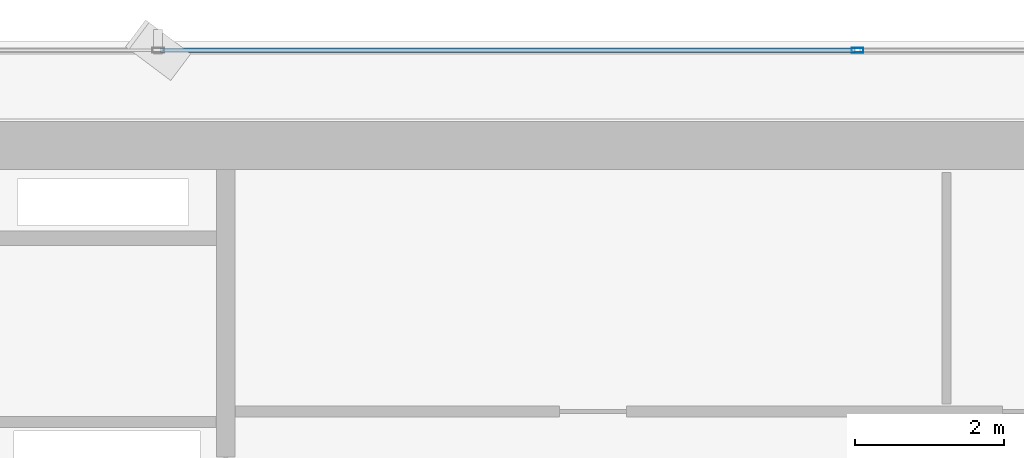
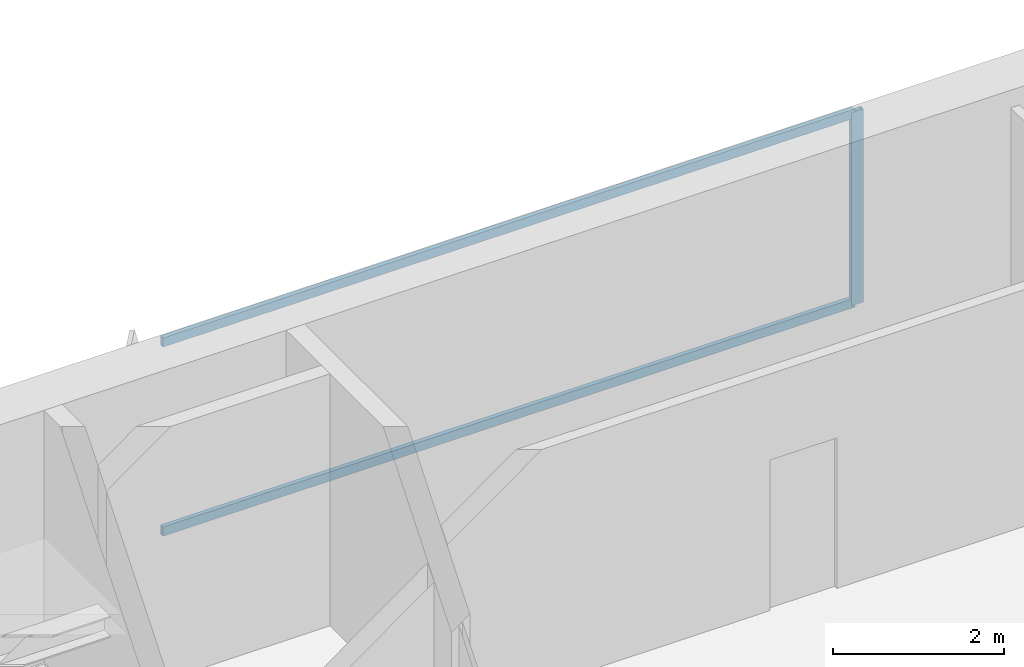
# One storey, part 16 of 28: 3 members, 1 element without a shape of its own.
"""IFC4 building model written with IfcOpenShell, lengths in metres."""

from ifc_helpers import new_model, si_unit, direction, frame, origin, origin_2d, place, context, subcontext, project, spatial, hollow_rectangle, extrude, source, transform, mapped, material, layer, layer_set, material_profile, profile_set, type_object, element, aggregate, save


model = new_model("IFC4")

# Units and contexts
model_context = context("Model", 3, precision=1e-05, world=origin(), true_north=direction((0.0, 1.0)))
body_context = subcontext(model_context, "Body", "Model", "MODEL_VIEW")
ifc_project = project(units=[si_unit("LENGTHUNIT", "METRE"), si_unit("AREAUNIT", "SQUARE_METRE"), si_unit("VOLUMEUNIT", "CUBIC_METRE"), si_unit("PLANEANGLEUNIT", "RADIAN"), si_unit("MASSUNIT", "GRAM", prefix="KILO")], contexts=[model_context])

# Site, building, storey
site_placement = place(None, origin())
site = spatial("IfcSite", under=ifc_project, at=site_placement, CompositionType="ELEMENT")
building_placement = place(site_placement, origin())
building = spatial("IfcBuilding", under=site, at=building_placement, Name="Sumidabori Civic Tower", CompositionType="ELEMENT")
storey_placement = place(building_placement, frame((0.0, 0.0, 174.800048828125)))
storey = spatial("IfcBuildingStorey", under=building, at=storey_placement, Name="L45", CompositionType="ELEMENT", Elevation=174.800048828125)

# Curtain wall, members
ifc_material = material(Name="Anodised Bronze Aluminium AW-6063-T6", Category="aluminium")
ifc_layer = layer(ifc_material, 0.179931640625, Name="Anodised Bronze Aluminium AW-6063-T6")
ifc_layer_set = layer_set([ifc_layer], Name="Anodised Bronze Aluminium AW-6063-T6")
curtain_wall_type = type_object("IfcCurtainWallType", Name="CW-SYS-3", PredefinedType="NOTDEFINED", material=ifc_layer_set)
curtain_wall_placement = place(storey_placement, origin())
curtain_wall = element("IfcCurtainWall", 1, at=curtain_wall_placement, inside=storey, type_object=curtain_wall_type, Name="Curtain Wall CW:L45:R07", PredefinedType="NOTDEFINED")
ifc_material_profile_1 = material_profile(ifc_material, hollow_rectangle(XDim=0.06494140625, YDim=0.159912109375, WallThickness=0.0048828125, at=origin_2d()), Name="ALU MULLION 160x65")
ifc_profile_set_1 = profile_set([ifc_material_profile_1], Name="Anodised Bronze Aluminium AW-6063-T6")
member_type_1 = type_object("IfcMemberType", Name="CW-MUL-160", PredefinedType="MULLION", material=ifc_profile_set_1)
shared_shape_1 = source(origin(), body_context, "Body", "SweptSolid", [
    extrude(hollow_rectangle(XDim=0.06494140625, YDim=0.159912109375, WallThickness=0.0048828125, at=origin_2d()), origin(), (0.0, 0.0, 1.0), 2.760009765625),
])
member_1_placement = place(storey_placement, frame((0.0, 25.080078125, 0.0), z_axis=(0.0, 0.0, 1.0), x_axis=(0.0, -1.0, 0.0)))
member_1 = element("IfcMember", 2, at=member_1_placement, type_object=member_type_1, Name="CW-3 mullion 3", PredefinedType="MULLION", context=body_context, shape_type="MappedRepresentation", body=[
    mapped(shared_shape_1, transform((0.0, 0.0, 0.0), x_axis=(1.0, 0.0, 0.0), y_axis=(0.0, 1.0, 0.0), z_axis=(0.0, 0.0, 1.0), scale=1.0)),
])
ifc_material_profile_2 = material_profile(ifc_material, hollow_rectangle(XDim=0.06005859375, YDim=0.1298828125, WallThickness=0.0048828125, at=origin_2d()), Name="ALU TRANSOM 130x60")
ifc_profile_set_2 = profile_set([ifc_material_profile_2], Name="Anodised Bronze Aluminium AW-6063-T6")
member_type_2 = type_object("IfcMemberType", Name="CW-TRN-130", PredefinedType="USERDEFINED", material=ifc_profile_set_2)
shared_shape_2 = source(origin(), body_context, "Body", "SweptSolid", [
    extrude(hollow_rectangle(XDim=0.06005859375, YDim=0.1298828125, WallThickness=0.0048828125, at=origin_2d()), origin(), (0.0, 0.0, 1.0), 9.344970703125),
])
member_2_placement = place(storey_placement, frame((-0.032470703125, 25.080078125, 0.030029296875), z_axis=(-1.0, 0.0, 0.0), x_axis=(0.0, -1.0, 0.0)))
member_2 = element("IfcMember", 3, at=member_2_placement, type_object=member_type_2, Name="CW-3 transom 3.1", ObjectType="TRANSOM", PredefinedType="USERDEFINED", context=body_context, shape_type="MappedRepresentation", body=[
    mapped(shared_shape_2, transform((0.0, 0.0, 0.0), x_axis=(1.0, 0.0, 0.0), y_axis=(0.0, 1.0, 0.0), z_axis=(0.0, 0.0, 1.0), scale=1.0)),
])
member_3_placement = place(storey_placement, frame((-0.032470703125, 25.080078125, 2.72998046875), z_axis=(-1.0, 0.0, 0.0), x_axis=(0.0, -1.0, 0.0)))
member_3 = element("IfcMember", 4, at=member_3_placement, type_object=member_type_2, Name="CW-3 transom 3.2", ObjectType="TRANSOM", PredefinedType="USERDEFINED", context=body_context, shape_type="MappedRepresentation", body=[
    mapped(shared_shape_2, transform((0.0, 0.0, 0.0), x_axis=(1.0, 0.0, 0.0), y_axis=(0.0, 1.0, 0.0), z_axis=(0.0, 0.0, 1.0), scale=1.0)),
])
aggregate(curtain_wall, [member_1, member_2, member_3])

save(model, "model.ifc")
